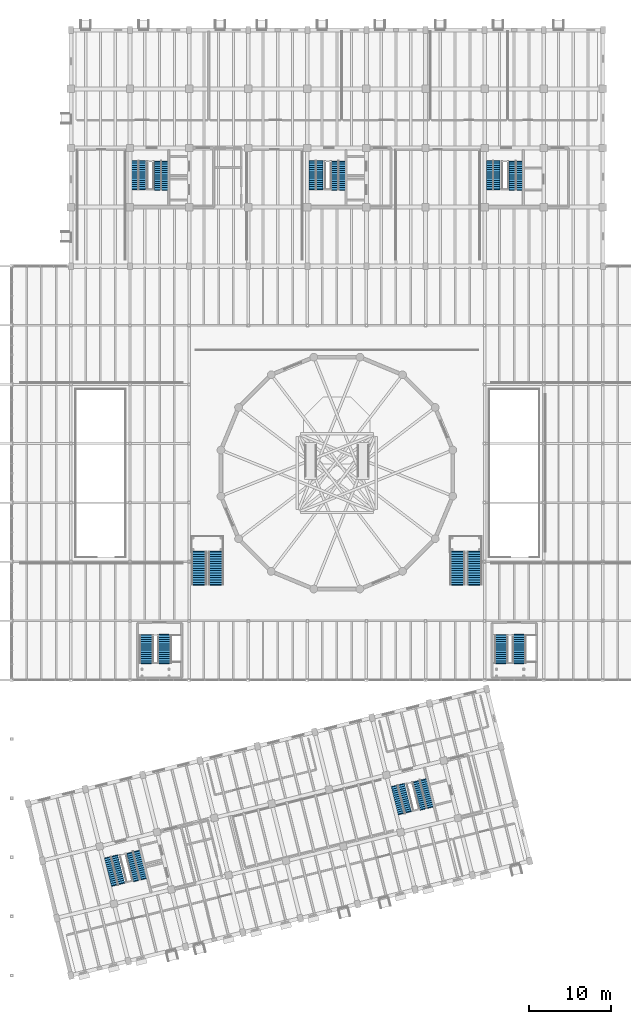
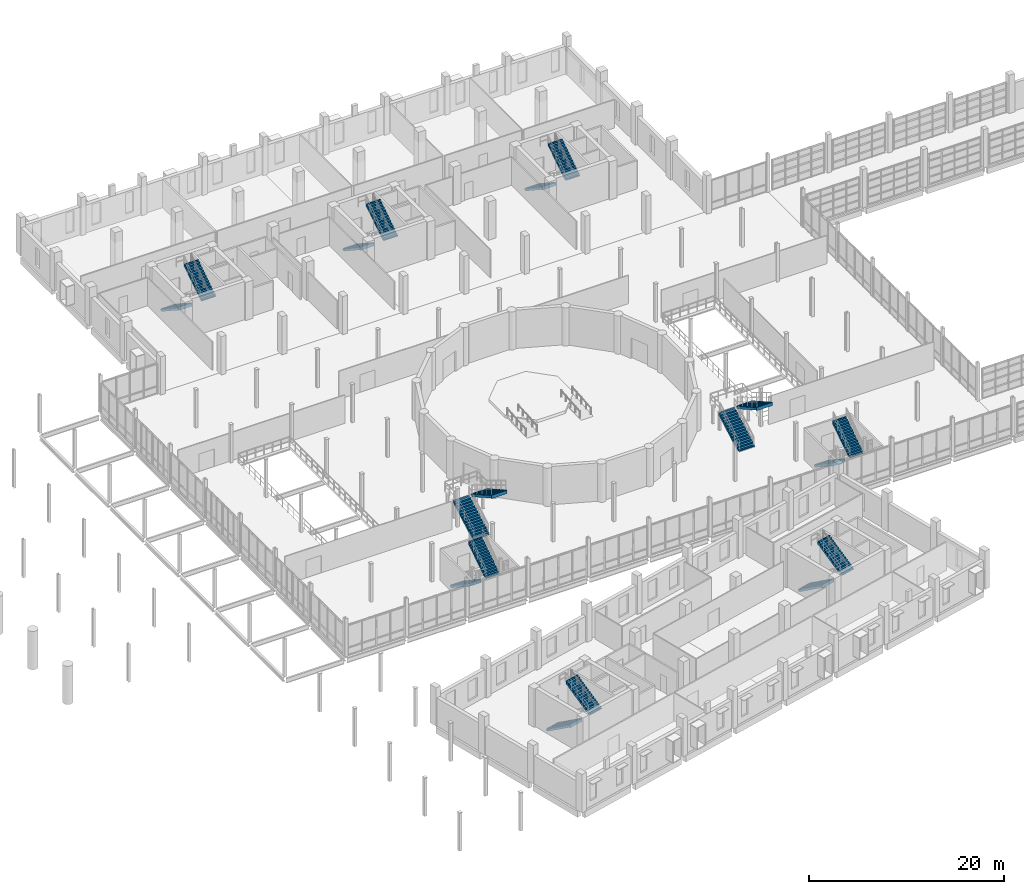
# One storey, part 72 of 77: 18 stair flights, 9 elements without a shape of their own.
"""IFC4 building model written with IfcOpenShell, lengths in metres."""

from ifc_helpers import new_model, si_unit, direction, frame, origin, place, context, subcontext, project, spatial, polyline, outline, extrude, material, type_object, element, aggregate, save


model = new_model("IFC4")

# Units and contexts
model_context = context("Model", 3, precision=1e-05, world=origin(), true_north=direction((0.0, 1.0)))
body_context = subcontext(model_context, "Body", "Model", "MODEL_VIEW")
ifc_project = project(units=[si_unit("LENGTHUNIT", "METRE"), si_unit("AREAUNIT", "SQUARE_METRE"), si_unit("VOLUMEUNIT", "CUBIC_METRE"), si_unit("PLANEANGLEUNIT", "RADIAN"), si_unit("MASSUNIT", "GRAM", prefix="KILO")], contexts=[model_context])

# Site, building, storey
site_placement = place(None, origin())
site = spatial("IfcSite", under=ifc_project, at=site_placement, CompositionType="ELEMENT")
building_placement = place(site_placement, origin())
building = spatial("IfcBuilding", under=site, at=building_placement, Name="Qiaolan Assembly House", CompositionType="ELEMENT")
storey_placement = place(building_placement, frame((0.0, 0.0, 5.39990234375)))
storey = spatial("IfcBuildingStorey", under=building, at=storey_placement, Name="L01", CompositionType="ELEMENT", Elevation=5.39990234375)

# Stair, stair flights
ifc_material = material(Name="Concrete C40/50", Category="concrete")
stair_type_1 = type_object("IfcStairType", Name="STR-BSMT-480", PredefinedType="HALF_TURN_STAIR", material=ifc_material)
stair_1_placement = place(storey_placement, origin())
stair_1 = element("IfcStair", 1, at=stair_1_placement, inside=storey, type_object=stair_type_1, Name="ST-04 enclosed egress stair CORE-A L01", PredefinedType="HALF_TURN_STAIR")
stair_flight_type_1 = type_object("IfcStairFlightType", Name="STR-BSMT-480-FLT", PredefinedType="STRAIGHT", material=ifc_material)
stair_flight_1_placement = place(storey_placement, frame((44.25, 99.2099609375, 0.0), z_axis=(0.0, 0.0, 1.0), x_axis=(0.0, -1.0, 0.0)))
stair_flight_1 = element("IfcStairFlight", 2, at=stair_flight_1_placement, type_object=stair_flight_type_1, Name="ST-04F stair flight FLT-CORE-A-L01-1", NumberOfRisers=14, NumberOfTreads=13, PredefinedType="STRAIGHT", RiserHeight=0.171429, TreadLength=0.26, context=body_context, shape_type="SweptSolid", body=[
    extrude(outline(polyline([(-0.10009765625, -0.1201171875), (-0.10009765625, 0.0), (0.0, 0.0), (0.0, 0.17138671875), (0.260009765625, 0.17138671875), (0.260009765625, 0.3427734375), (0.52001953125, 0.3427734375), (0.52001953125, 0.514404296875), (0.780029296875, 0.514404296875), (0.780029296875, 0.685791015625), (1.0400390625, 0.685791015625), (1.0400390625, 0.857177734375), (1.300048828125, 0.857177734375), (1.300048828125, 1.028564453125), (1.56005859375, 1.028564453125), (1.56005859375, 1.199951171875), (1.820068359375, 1.199951171875), (1.820068359375, 1.371337890625), (2.080078125, 1.371337890625), (2.080078125, 1.54296875), (2.340087890625, 1.54296875), (2.340087890625, 1.71435546875), (2.60009765625, 1.71435546875), (2.60009765625, 1.8857421875), (2.860107421875, 1.8857421875), (2.860107421875, 2.05712890625), (3.1201171875, 2.05712890625), (3.1201171875, 2.228515625), (3.3798828125, 2.228515625), (3.3798828125, 2.39990234375), (3.5, 2.39990234375), (3.5, 1.989013671875), (3.3798828125, 1.989013671875), (0.18115234375, -0.1201171875), (-0.10009765625, -0.1201171875)])), frame((0.0, 0.83984375, 0.0), z_axis=(0.0, -1.0, 0.0), x_axis=(1.0, 0.0, 0.0)), (0.0, 0.0, 1.0), 1.679931640625),
])
stair_flight_2_placement = place(storey_placement, frame((47.0, 95.7099609375, 2.400146484375), z_axis=(0.0, 0.0, 1.0), x_axis=(0.0, 1.0, 0.0)))
stair_flight_2 = element("IfcStairFlight", 3, at=stair_flight_2_placement, type_object=stair_flight_type_1, Name="ST-04F stair flight FLT-CORE-A-L01-2", NumberOfRisers=14, NumberOfTreads=13, PredefinedType="STRAIGHT", RiserHeight=0.171429, TreadLength=0.26, context=body_context, shape_type="SweptSolid", body=[
    extrude(outline(polyline([(-0.10009765625, -0.1201171875), (-0.10009765625, 0.0), (0.0, 0.0), (0.0, 0.17138671875), (0.260009765625, 0.17138671875), (0.260009765625, 0.3427734375), (0.52001953125, 0.3427734375), (0.52001953125, 0.514404296875), (0.780029296875, 0.514404296875), (0.780029296875, 0.685791015625), (1.0400390625, 0.685791015625), (1.0400390625, 0.857177734375), (1.300048828125, 0.857177734375), (1.300048828125, 1.028564453125), (1.56005859375, 1.028564453125), (1.56005859375, 1.199951171875), (1.820068359375, 1.199951171875), (1.820068359375, 1.371337890625), (2.080078125, 1.371337890625), (2.080078125, 1.54296875), (2.340087890625, 1.54296875), (2.340087890625, 1.71435546875), (2.60009765625, 1.71435546875), (2.60009765625, 1.8857421875), (2.860107421875, 1.8857421875), (2.860107421875, 2.05712890625), (3.1201171875, 2.05712890625), (3.1201171875, 2.228515625), (3.3798828125, 2.228515625), (3.3798828125, 2.39990234375), (3.5, 2.39990234375), (3.5, 1.989013671875), (3.3798828125, 1.989013671875), (0.18115234375, -0.1201171875), (-0.10009765625, -0.1201171875)])), frame((0.0, 0.83984375, 0.0), z_axis=(0.0, -1.0, 0.0), x_axis=(1.0, 0.0, 0.0)), (0.0, 0.0, 1.0), 1.679931640625),
])
aggregate(stair_1, [stair_flight_1, stair_flight_2])

stair_2_placement = place(storey_placement, origin())
stair_2 = element("IfcStair", 4, at=stair_2_placement, inside=storey, type_object=stair_type_1, Name="ST-04 enclosed egress stair CORE-B L01", PredefinedType="HALF_TURN_STAIR")
stair_flight_3_placement = place(storey_placement, frame((65.85009765625, 99.2099609375, 0.0), z_axis=(0.0, 0.0, 1.0), x_axis=(0.0, -1.0, 0.0)))
stair_flight_3 = element("IfcStairFlight", 5, at=stair_flight_3_placement, type_object=stair_flight_type_1, Name="ST-04F stair flight FLT-CORE-B-L01-1", NumberOfRisers=14, NumberOfTreads=13, PredefinedType="STRAIGHT", RiserHeight=0.171429, TreadLength=0.26, context=body_context, shape_type="SweptSolid", body=[
    extrude(outline(polyline([(-0.10009765625, -0.1201171875), (-0.10009765625, 0.0), (0.0, 0.0), (0.0, 0.17138671875), (0.260009765625, 0.17138671875), (0.260009765625, 0.3427734375), (0.52001953125, 0.3427734375), (0.52001953125, 0.514404296875), (0.780029296875, 0.514404296875), (0.780029296875, 0.685791015625), (1.0400390625, 0.685791015625), (1.0400390625, 0.857177734375), (1.300048828125, 0.857177734375), (1.300048828125, 1.028564453125), (1.56005859375, 1.028564453125), (1.56005859375, 1.199951171875), (1.820068359375, 1.199951171875), (1.820068359375, 1.371337890625), (2.080078125, 1.371337890625), (2.080078125, 1.54296875), (2.340087890625, 1.54296875), (2.340087890625, 1.71435546875), (2.60009765625, 1.71435546875), (2.60009765625, 1.8857421875), (2.860107421875, 1.8857421875), (2.860107421875, 2.05712890625), (3.1201171875, 2.05712890625), (3.1201171875, 2.228515625), (3.3798828125, 2.228515625), (3.3798828125, 2.39990234375), (3.5, 2.39990234375), (3.5, 1.989013671875), (3.3798828125, 1.989013671875), (0.18115234375, -0.1201171875), (-0.10009765625, -0.1201171875)])), frame((0.0, 0.83984375, 0.0), z_axis=(0.0, -1.0, 0.0), x_axis=(1.0, 0.0, 0.0)), (0.0, 0.0, 1.0), 1.679931640625),
])
stair_flight_4_placement = place(storey_placement, frame((68.60009765625, 95.7099609375, 2.400146484375), z_axis=(0.0, 0.0, 1.0), x_axis=(0.0, 1.0, 0.0)))
stair_flight_4 = element("IfcStairFlight", 6, at=stair_flight_4_placement, type_object=stair_flight_type_1, Name="ST-04F stair flight FLT-CORE-B-L01-2", NumberOfRisers=14, NumberOfTreads=13, PredefinedType="STRAIGHT", RiserHeight=0.171429, TreadLength=0.26, context=body_context, shape_type="SweptSolid", body=[
    extrude(outline(polyline([(-0.10009765625, -0.1201171875), (-0.10009765625, 0.0), (0.0, 0.0), (0.0, 0.17138671875), (0.260009765625, 0.17138671875), (0.260009765625, 0.3427734375), (0.52001953125, 0.3427734375), (0.52001953125, 0.514404296875), (0.780029296875, 0.514404296875), (0.780029296875, 0.685791015625), (1.0400390625, 0.685791015625), (1.0400390625, 0.857177734375), (1.300048828125, 0.857177734375), (1.300048828125, 1.028564453125), (1.56005859375, 1.028564453125), (1.56005859375, 1.199951171875), (1.820068359375, 1.199951171875), (1.820068359375, 1.371337890625), (2.080078125, 1.371337890625), (2.080078125, 1.54296875), (2.340087890625, 1.54296875), (2.340087890625, 1.71435546875), (2.60009765625, 1.71435546875), (2.60009765625, 1.8857421875), (2.860107421875, 1.8857421875), (2.860107421875, 2.05712890625), (3.1201171875, 2.05712890625), (3.1201171875, 2.228515625), (3.3798828125, 2.228515625), (3.3798828125, 2.39990234375), (3.5, 2.39990234375), (3.5, 1.989013671875), (3.3798828125, 1.989013671875), (0.18115234375, -0.1201171875), (-0.10009765625, -0.1201171875)])), frame((0.0, 0.83984375, 0.0), z_axis=(0.0, -1.0, 0.0), x_axis=(1.0, 0.0, 0.0)), (0.0, 0.0, 1.0), 1.679931640625),
])
aggregate(stair_2, [stair_flight_3, stair_flight_4])

stair_3_placement = place(storey_placement, origin())
stair_3 = element("IfcStair", 7, at=stair_3_placement, inside=storey, type_object=stair_type_1, Name="ST-04 enclosed egress stair CORE-G L01", PredefinedType="HALF_TURN_STAIR")
stair_flight_5_placement = place(storey_placement, frame((87.449951171875, 99.2099609375, 0.0), z_axis=(0.0, 0.0, 1.0), x_axis=(0.0, -1.0, 0.0)))
stair_flight_5 = element("IfcStairFlight", 8, at=stair_flight_5_placement, type_object=stair_flight_type_1, Name="ST-04F stair flight FLT-CORE-G-L01-1", NumberOfRisers=14, NumberOfTreads=13, PredefinedType="STRAIGHT", RiserHeight=0.171429, TreadLength=0.26, context=body_context, shape_type="SweptSolid", body=[
    extrude(outline(polyline([(-0.10009765625, -0.1201171875), (-0.10009765625, 0.0), (0.0, 0.0), (0.0, 0.17138671875), (0.260009765625, 0.17138671875), (0.260009765625, 0.3427734375), (0.52001953125, 0.3427734375), (0.52001953125, 0.514404296875), (0.780029296875, 0.514404296875), (0.780029296875, 0.685791015625), (1.0400390625, 0.685791015625), (1.0400390625, 0.857177734375), (1.300048828125, 0.857177734375), (1.300048828125, 1.028564453125), (1.56005859375, 1.028564453125), (1.56005859375, 1.199951171875), (1.820068359375, 1.199951171875), (1.820068359375, 1.371337890625), (2.080078125, 1.371337890625), (2.080078125, 1.54296875), (2.340087890625, 1.54296875), (2.340087890625, 1.71435546875), (2.60009765625, 1.71435546875), (2.60009765625, 1.8857421875), (2.860107421875, 1.8857421875), (2.860107421875, 2.05712890625), (3.1201171875, 2.05712890625), (3.1201171875, 2.228515625), (3.3798828125, 2.228515625), (3.3798828125, 2.39990234375), (3.5, 2.39990234375), (3.5, 1.989013671875), (3.3798828125, 1.989013671875), (0.18115234375, -0.1201171875), (-0.10009765625, -0.1201171875)])), frame((0.0, 0.83984375, 0.0), z_axis=(0.0, -1.0, 0.0), x_axis=(1.0, 0.0, 0.0)), (0.0, 0.0, 1.0), 1.679931640625),
])
stair_flight_6_placement = place(storey_placement, frame((90.199951171875, 95.7099609375, 2.400146484375), z_axis=(0.0, 0.0, 1.0), x_axis=(0.0, 1.0, 0.0)))
stair_flight_6 = element("IfcStairFlight", 9, at=stair_flight_6_placement, type_object=stair_flight_type_1, Name="ST-04F stair flight FLT-CORE-G-L01-2", NumberOfRisers=14, NumberOfTreads=13, PredefinedType="STRAIGHT", RiserHeight=0.171429, TreadLength=0.26, context=body_context, shape_type="SweptSolid", body=[
    extrude(outline(polyline([(-0.10009765625, -0.1201171875), (-0.10009765625, 0.0), (0.0, 0.0), (0.0, 0.17138671875), (0.260009765625, 0.17138671875), (0.260009765625, 0.3427734375), (0.52001953125, 0.3427734375), (0.52001953125, 0.514404296875), (0.780029296875, 0.514404296875), (0.780029296875, 0.685791015625), (1.0400390625, 0.685791015625), (1.0400390625, 0.857177734375), (1.300048828125, 0.857177734375), (1.300048828125, 1.028564453125), (1.56005859375, 1.028564453125), (1.56005859375, 1.199951171875), (1.820068359375, 1.199951171875), (1.820068359375, 1.371337890625), (2.080078125, 1.371337890625), (2.080078125, 1.54296875), (2.340087890625, 1.54296875), (2.340087890625, 1.71435546875), (2.60009765625, 1.71435546875), (2.60009765625, 1.8857421875), (2.860107421875, 1.8857421875), (2.860107421875, 2.05712890625), (3.1201171875, 2.05712890625), (3.1201171875, 2.228515625), (3.3798828125, 2.228515625), (3.3798828125, 2.39990234375), (3.5, 2.39990234375), (3.5, 1.989013671875), (3.3798828125, 1.989013671875), (0.18115234375, -0.1201171875), (-0.10009765625, -0.1201171875)])), frame((0.0, 0.83984375, 0.0), z_axis=(0.0, -1.0, 0.0), x_axis=(1.0, 0.0, 0.0)), (0.0, 0.0, 1.0), 1.679931640625),
])
aggregate(stair_3, [stair_flight_5, stair_flight_6])

stair_4_placement = place(storey_placement, origin())
stair_4 = element("IfcStair", 10, at=stair_4_placement, inside=storey, type_object=stair_type_1, Name="ST-04 enclosed egress stair CORE-C L01", PredefinedType="HALF_TURN_STAIR")
stair_flight_7_placement = place(storey_placement, frame((40.906005859375, 14.42529296875, 0.0), z_axis=(0.0, 0.0, 1.0), x_axis=(0.241921997209, -0.970295700942, 0.0)))
stair_flight_7 = element("IfcStairFlight", 11, at=stair_flight_7_placement, type_object=stair_flight_type_1, Name="ST-04F stair flight FLT-CORE-C-L01-1", NumberOfRisers=14, NumberOfTreads=13, PredefinedType="STRAIGHT", RiserHeight=0.171429, TreadLength=0.26, context=body_context, shape_type="SweptSolid", body=[
    extrude(outline(polyline([(-0.10009765625, -0.1201171875), (-0.10009765625, 0.0), (0.0, 0.0), (0.0, 0.17138671875), (0.260009765625, 0.17138671875), (0.260009765625, 0.3427734375), (0.52001953125, 0.3427734375), (0.52001953125, 0.514404296875), (0.780029296875, 0.514404296875), (0.780029296875, 0.685791015625), (1.0400390625, 0.685791015625), (1.0400390625, 0.857177734375), (1.300048828125, 0.857177734375), (1.300048828125, 1.028564453125), (1.56005859375, 1.028564453125), (1.56005859375, 1.199951171875), (1.820068359375, 1.199951171875), (1.820068359375, 1.371337890625), (2.080078125, 1.371337890625), (2.080078125, 1.54296875), (2.340087890625, 1.54296875), (2.340087890625, 1.71435546875), (2.60009765625, 1.71435546875), (2.60009765625, 1.8857421875), (2.860107421875, 1.8857421875), (2.860107421875, 2.05712890625), (3.1201171875, 2.05712890625), (3.1201171875, 2.228515625), (3.3798828125, 2.228515625), (3.3798828125, 2.39990234375), (3.5, 2.39990234375), (3.5, 1.989013671875), (3.3798828125, 1.989013671875), (0.18115234375, -0.1201171875), (-0.10009765625, -0.1201171875)])), frame((0.0, 0.83984375, 0.0), z_axis=(0.0, -1.0, 0.0), x_axis=(1.0, 0.0, 0.0)), (0.0, 0.0, 1.0), 1.679931640625),
])
stair_flight_8_placement = place(storey_placement, frame((44.4208984375, 11.694580078125, 2.400146484375), z_axis=(0.0, 0.0, 1.0), x_axis=(-0.241921726251, 0.970295768499, 0.0)))
stair_flight_8 = element("IfcStairFlight", 12, at=stair_flight_8_placement, type_object=stair_flight_type_1, Name="ST-04F stair flight FLT-CORE-C-L01-2", NumberOfRisers=14, NumberOfTreads=13, PredefinedType="STRAIGHT", RiserHeight=0.171429, TreadLength=0.26, context=body_context, shape_type="SweptSolid", body=[
    extrude(outline(polyline([(-0.10009765625, -0.1201171875), (-0.10009765625, 0.0), (0.0, 0.0), (0.0, 0.17138671875), (0.260009765625, 0.17138671875), (0.260009765625, 0.3427734375), (0.52001953125, 0.3427734375), (0.52001953125, 0.514404296875), (0.780029296875, 0.514404296875), (0.780029296875, 0.685791015625), (1.0400390625, 0.685791015625), (1.0400390625, 0.857177734375), (1.300048828125, 0.857177734375), (1.300048828125, 1.028564453125), (1.56005859375, 1.028564453125), (1.56005859375, 1.199951171875), (1.820068359375, 1.199951171875), (1.820068359375, 1.371337890625), (2.080078125, 1.371337890625), (2.080078125, 1.54296875), (2.340087890625, 1.54296875), (2.340087890625, 1.71435546875), (2.60009765625, 1.71435546875), (2.60009765625, 1.8857421875), (2.860107421875, 1.8857421875), (2.860107421875, 2.05712890625), (3.1201171875, 2.05712890625), (3.1201171875, 2.228515625), (3.3798828125, 2.228515625), (3.3798828125, 2.39990234375), (3.5, 2.39990234375), (3.5, 1.989013671875), (3.3798828125, 1.989013671875), (0.18115234375, -0.1201171875), (-0.10009765625, -0.1201171875)])), frame((0.0, 0.83984375, 0.0), z_axis=(0.0, -1.0, 0.0), x_axis=(1.0, 0.0, 0.0)), (0.0, 0.0, 1.0), 1.679931640625),
])
aggregate(stair_4, [stair_flight_7, stair_flight_8])

stair_5_placement = place(storey_placement, origin())
stair_5 = element("IfcStair", 13, at=stair_5_placement, inside=storey, type_object=stair_type_1, Name="ST-04 enclosed egress stair CORE-D L01", PredefinedType="HALF_TURN_STAIR")
stair_flight_9_placement = place(storey_placement, frame((75.836669921875, 23.134521484375, 0.0), z_axis=(0.0, 0.0, 1.0), x_axis=(0.241921997209, -0.970295700942, 0.0)))
stair_flight_9 = element("IfcStairFlight", 14, at=stair_flight_9_placement, type_object=stair_flight_type_1, Name="ST-04F stair flight FLT-CORE-D-L01-1", NumberOfRisers=14, NumberOfTreads=13, PredefinedType="STRAIGHT", RiserHeight=0.171429, TreadLength=0.26, context=body_context, shape_type="SweptSolid", body=[
    extrude(outline(polyline([(-0.10009765625, -0.1201171875), (-0.10009765625, 0.0), (0.0, 0.0), (0.0, 0.17138671875), (0.260009765625, 0.17138671875), (0.260009765625, 0.3427734375), (0.52001953125, 0.3427734375), (0.52001953125, 0.514404296875), (0.780029296875, 0.514404296875), (0.780029296875, 0.685791015625), (1.0400390625, 0.685791015625), (1.0400390625, 0.857177734375), (1.300048828125, 0.857177734375), (1.300048828125, 1.028564453125), (1.56005859375, 1.028564453125), (1.56005859375, 1.199951171875), (1.820068359375, 1.199951171875), (1.820068359375, 1.371337890625), (2.080078125, 1.371337890625), (2.080078125, 1.54296875), (2.340087890625, 1.54296875), (2.340087890625, 1.71435546875), (2.60009765625, 1.71435546875), (2.60009765625, 1.8857421875), (2.860107421875, 1.8857421875), (2.860107421875, 2.05712890625), (3.1201171875, 2.05712890625), (3.1201171875, 2.228515625), (3.3798828125, 2.228515625), (3.3798828125, 2.39990234375), (3.5, 2.39990234375), (3.5, 1.989013671875), (3.3798828125, 1.989013671875), (0.18115234375, -0.1201171875), (-0.10009765625, -0.1201171875)])), frame((0.0, 0.83984375, 0.0), z_axis=(0.0, -1.0, 0.0), x_axis=(1.0, 0.0, 0.0)), (0.0, 0.0, 1.0), 1.679931640625),
])
stair_flight_10_placement = place(storey_placement, frame((79.3515625, 20.40380859375, 2.400146484375), z_axis=(0.0, 0.0, 1.0), x_axis=(-0.241921726251, 0.970295768499, 0.0)))
stair_flight_10 = element("IfcStairFlight", 15, at=stair_flight_10_placement, type_object=stair_flight_type_1, Name="ST-04F stair flight FLT-CORE-D-L01-2", NumberOfRisers=14, NumberOfTreads=13, PredefinedType="STRAIGHT", RiserHeight=0.171429, TreadLength=0.26, context=body_context, shape_type="SweptSolid", body=[
    extrude(outline(polyline([(-0.10009765625, -0.1201171875), (-0.10009765625, 0.0), (0.0, 0.0), (0.0, 0.17138671875), (0.260009765625, 0.17138671875), (0.260009765625, 0.3427734375), (0.52001953125, 0.3427734375), (0.52001953125, 0.514404296875), (0.780029296875, 0.514404296875), (0.780029296875, 0.685791015625), (1.0400390625, 0.685791015625), (1.0400390625, 0.857177734375), (1.300048828125, 0.857177734375), (1.300048828125, 1.028564453125), (1.56005859375, 1.028564453125), (1.56005859375, 1.199951171875), (1.820068359375, 1.199951171875), (1.820068359375, 1.371337890625), (2.080078125, 1.371337890625), (2.080078125, 1.54296875), (2.340087890625, 1.54296875), (2.340087890625, 1.71435546875), (2.60009765625, 1.71435546875), (2.60009765625, 1.8857421875), (2.860107421875, 1.8857421875), (2.860107421875, 2.05712890625), (3.1201171875, 2.05712890625), (3.1201171875, 2.228515625), (3.3798828125, 2.228515625), (3.3798828125, 2.39990234375), (3.5, 2.39990234375), (3.5, 1.989013671875), (3.3798828125, 1.989013671875), (0.18115234375, -0.1201171875), (-0.10009765625, -0.1201171875)])), frame((0.0, 0.83984375, 0.0), z_axis=(0.0, -1.0, 0.0), x_axis=(1.0, 0.0, 0.0)), (0.0, 0.0, 1.0), 1.679931640625),
])
aggregate(stair_5, [stair_flight_9, stair_flight_10])

stair_type_2 = type_object("IfcStairType", Name="STR-FOYER-480", PredefinedType="HALF_TURN_STAIR", material=ifc_material)
stair_6_placement = place(storey_placement, origin())
stair_6 = element("IfcStair", 16, at=stair_6_placement, inside=storey, type_object=stair_type_2, Name="ST-10 Chamber Foyer Stair ST-F1", PredefinedType="HALF_TURN_STAIR")
stair_flight_type_2 = type_object("IfcStairFlightType", Name="STR-FOYER-480-FLT", PredefinedType="STRAIGHT", material=ifc_material)
stair_flight_11_placement = place(storey_placement, frame((45.199951171875, 41.449951171875, 0.0), z_axis=(0.0, 0.0, 1.0), x_axis=(0.0, -1.0, 0.0)))
stair_flight_11 = element("IfcStairFlight", 17, at=stair_flight_11_placement, type_object=stair_flight_type_2, Name="ST-10F stair flight FLT-ST-F1-1", NumberOfRisers=14, NumberOfTreads=13, PredefinedType="STRAIGHT", RiserHeight=0.171429, TreadLength=0.26, context=body_context, shape_type="SweptSolid", body=[
    extrude(outline(polyline([(-0.10009765625, -0.1201171875), (-0.10009765625, 0.0), (0.0, 0.0), (0.0, 0.17138671875), (0.260009765625, 0.17138671875), (0.260009765625, 0.3427734375), (0.52001953125, 0.3427734375), (0.52001953125, 0.514404296875), (0.780029296875, 0.514404296875), (0.780029296875, 0.685791015625), (1.0400390625, 0.685791015625), (1.0400390625, 0.857177734375), (1.300048828125, 0.857177734375), (1.300048828125, 1.028564453125), (1.56005859375, 1.028564453125), (1.56005859375, 1.199951171875), (1.820068359375, 1.199951171875), (1.820068359375, 1.371337890625), (2.080078125, 1.371337890625), (2.080078125, 1.54296875), (2.340087890625, 1.54296875), (2.340087890625, 1.71435546875), (2.60009765625, 1.71435546875), (2.60009765625, 1.8857421875), (2.860107421875, 1.8857421875), (2.860107421875, 2.05712890625), (3.1201171875, 2.05712890625), (3.1201171875, 2.228515625), (3.3798828125, 2.228515625), (3.3798828125, 2.39990234375), (3.5, 2.39990234375), (3.5, 1.989013671875), (3.3798828125, 1.989013671875), (0.18115234375, -0.1201171875), (-0.10009765625, -0.1201171875)])), frame((0.0, 0.81005859375, 0.0), z_axis=(0.0, -1.0, 0.0), x_axis=(1.0, 0.0, 0.0)), (0.0, 0.0, 1.0), 1.6201171875),
])
stair_flight_12_placement = place(storey_placement, frame((47.39990234375, 38.070068359375, 2.400146484375), z_axis=(0.0, 0.0, 1.0), x_axis=(0.0, 1.0, 0.0)))
stair_flight_12 = element("IfcStairFlight", 18, at=stair_flight_12_placement, type_object=stair_flight_type_2, Name="ST-10F stair flight FLT-ST-F1-2", NumberOfRisers=14, NumberOfTreads=13, PredefinedType="STRAIGHT", RiserHeight=0.171429, TreadLength=0.26, context=body_context, shape_type="SweptSolid", body=[
    extrude(outline(polyline([(-0.10009765625, -0.1201171875), (-0.10009765625, 0.0), (0.0, 0.0), (0.0, 0.17138671875), (0.260009765625, 0.17138671875), (0.260009765625, 0.3427734375), (0.52001953125, 0.3427734375), (0.52001953125, 0.514404296875), (0.780029296875, 0.514404296875), (0.780029296875, 0.685791015625), (1.0400390625, 0.685791015625), (1.0400390625, 0.857177734375), (1.300048828125, 0.857177734375), (1.300048828125, 1.028564453125), (1.56005859375, 1.028564453125), (1.56005859375, 1.199951171875), (1.820068359375, 1.199951171875), (1.820068359375, 1.371337890625), (2.080078125, 1.371337890625), (2.080078125, 1.54296875), (2.340087890625, 1.54296875), (2.340087890625, 1.71435546875), (2.60009765625, 1.71435546875), (2.60009765625, 1.8857421875), (2.860107421875, 1.8857421875), (2.860107421875, 2.05712890625), (3.1201171875, 2.05712890625), (3.1201171875, 2.228515625), (3.3798828125, 2.228515625), (3.3798828125, 2.39990234375), (3.5, 2.39990234375), (3.5, 1.989013671875), (3.3798828125, 1.989013671875), (0.18115234375, -0.1201171875), (-0.10009765625, -0.1201171875)])), frame((0.0, 0.81005859375, 0.0), z_axis=(0.0, -1.0, 0.0), x_axis=(1.0, 0.0, 0.0)), (0.0, 0.0, 1.0), 1.6201171875),
])
aggregate(stair_6, [stair_flight_11, stair_flight_12])

stair_7_placement = place(storey_placement, origin())
stair_7 = element("IfcStair", 19, at=stair_7_placement, inside=storey, type_object=stair_type_2, Name="ST-10 Chamber Foyer Stair ST-F2", PredefinedType="HALF_TURN_STAIR")
stair_flight_13_placement = place(storey_placement, frame((88.39990234375, 41.449951171875, 0.0), z_axis=(0.0, 0.0, 1.0), x_axis=(0.0, -1.0, 0.0)))
stair_flight_13 = element("IfcStairFlight", 20, at=stair_flight_13_placement, type_object=stair_flight_type_2, Name="ST-10F stair flight FLT-ST-F2-1", NumberOfRisers=14, NumberOfTreads=13, PredefinedType="STRAIGHT", RiserHeight=0.171429, TreadLength=0.26, context=body_context, shape_type="SweptSolid", body=[
    extrude(outline(polyline([(-0.10009765625, -0.1201171875), (-0.10009765625, 0.0), (0.0, 0.0), (0.0, 0.17138671875), (0.260009765625, 0.17138671875), (0.260009765625, 0.3427734375), (0.52001953125, 0.3427734375), (0.52001953125, 0.514404296875), (0.780029296875, 0.514404296875), (0.780029296875, 0.685791015625), (1.0400390625, 0.685791015625), (1.0400390625, 0.857177734375), (1.300048828125, 0.857177734375), (1.300048828125, 1.028564453125), (1.56005859375, 1.028564453125), (1.56005859375, 1.199951171875), (1.820068359375, 1.199951171875), (1.820068359375, 1.371337890625), (2.080078125, 1.371337890625), (2.080078125, 1.54296875), (2.340087890625, 1.54296875), (2.340087890625, 1.71435546875), (2.60009765625, 1.71435546875), (2.60009765625, 1.8857421875), (2.860107421875, 1.8857421875), (2.860107421875, 2.05712890625), (3.1201171875, 2.05712890625), (3.1201171875, 2.228515625), (3.3798828125, 2.228515625), (3.3798828125, 2.39990234375), (3.5, 2.39990234375), (3.5, 1.989013671875), (3.3798828125, 1.989013671875), (0.18115234375, -0.1201171875), (-0.10009765625, -0.1201171875)])), frame((0.0, 0.81005859375, 0.0), z_axis=(0.0, -1.0, 0.0), x_axis=(1.0, 0.0, 0.0)), (0.0, 0.0, 1.0), 1.6201171875),
])
stair_flight_14_placement = place(storey_placement, frame((90.60009765625, 38.070068359375, 2.400146484375), z_axis=(0.0, 0.0, 1.0), x_axis=(0.0, 1.0, 0.0)))
stair_flight_14 = element("IfcStairFlight", 21, at=stair_flight_14_placement, type_object=stair_flight_type_2, Name="ST-10F stair flight FLT-ST-F2-2", NumberOfRisers=14, NumberOfTreads=13, PredefinedType="STRAIGHT", RiserHeight=0.171429, TreadLength=0.26, context=body_context, shape_type="SweptSolid", body=[
    extrude(outline(polyline([(-0.10009765625, -0.1201171875), (-0.10009765625, 0.0), (0.0, 0.0), (0.0, 0.17138671875), (0.260009765625, 0.17138671875), (0.260009765625, 0.3427734375), (0.52001953125, 0.3427734375), (0.52001953125, 0.514404296875), (0.780029296875, 0.514404296875), (0.780029296875, 0.685791015625), (1.0400390625, 0.685791015625), (1.0400390625, 0.857177734375), (1.300048828125, 0.857177734375), (1.300048828125, 1.028564453125), (1.56005859375, 1.028564453125), (1.56005859375, 1.199951171875), (1.820068359375, 1.199951171875), (1.820068359375, 1.371337890625), (2.080078125, 1.371337890625), (2.080078125, 1.54296875), (2.340087890625, 1.54296875), (2.340087890625, 1.71435546875), (2.60009765625, 1.71435546875), (2.60009765625, 1.8857421875), (2.860107421875, 1.8857421875), (2.860107421875, 2.05712890625), (3.1201171875, 2.05712890625), (3.1201171875, 2.228515625), (3.3798828125, 2.228515625), (3.3798828125, 2.39990234375), (3.5, 2.39990234375), (3.5, 1.989013671875), (3.3798828125, 1.989013671875), (0.18115234375, -0.1201171875), (-0.10009765625, -0.1201171875)])), frame((0.0, 0.81005859375, 0.0), z_axis=(0.0, -1.0, 0.0), x_axis=(1.0, 0.0, 0.0)), (0.0, 0.0, 1.0), 1.6201171875),
])
aggregate(stair_7, [stair_flight_13, stair_flight_14])

stair_type_3 = type_object("IfcStairType", Name="STR-GALLERY-480", PredefinedType="HALF_TURN_STAIR", material=ifc_material)
stair_8_placement = place(storey_placement, origin())
stair_8 = element("IfcStair", 22, at=stair_8_placement, inside=storey, type_object=stair_type_3, Name="ST-03 Chamber Public Gallery Stair ST-G1", PredefinedType="HALF_TURN_STAIR")
stair_flight_type_3 = type_object("IfcStairFlightType", Name="STR-GALLERY-480-FLT", PredefinedType="STRAIGHT", material=ifc_material)
stair_flight_15_placement = place(storey_placement, frame((51.60009765625, 47.60009765625, 0.0), z_axis=(0.0, 0.0, 1.0), x_axis=(0.0, 1.0, 0.0)))
stair_flight_15 = element("IfcStairFlight", 23, at=stair_flight_15_placement, type_object=stair_flight_type_3, Name="ST-03F stair flight FLT-ST-G1-1", NumberOfRisers=15, NumberOfTreads=14, PredefinedType="STRAIGHT", RiserHeight=0.16, TreadLength=0.285, context=body_context, shape_type="SweptSolid", body=[
    extrude(outline(polyline([(-0.10009765625, -0.1201171875), (-0.10009765625, 0.0), (0.0, 0.0), (0.0, 0.159912109375), (0.284912109375, 0.159912109375), (0.284912109375, 0.320068359375), (0.570068359375, 0.320068359375), (0.570068359375, 0.47998046875), (0.85498046875, 0.47998046875), (0.85498046875, 0.639892578125), (1.139892578125, 0.639892578125), (1.139892578125, 0.800048828125), (1.425048828125, 0.800048828125), (1.425048828125, 0.9599609375), (1.7099609375, 0.9599609375), (1.7099609375, 1.1201171875), (1.9951171875, 1.1201171875), (1.9951171875, 1.280029296875), (2.280029296875, 1.280029296875), (2.280029296875, 1.43994140625), (2.56494140625, 1.43994140625), (2.56494140625, 1.60009765625), (2.85009765625, 1.60009765625), (2.85009765625, 1.760009765625), (3.135009765625, 1.760009765625), (3.135009765625, 1.919921875), (3.419921875, 1.919921875), (3.419921875, 2.080078125), (3.705078125, 2.080078125), (3.705078125, 2.239990234375), (3.989990234375, 2.239990234375), (3.989990234375, 2.39990234375), (4.110107421875, 2.39990234375), (4.110107421875, 1.98779296875), (3.989990234375, 1.98779296875), (0.2353515625, -0.1201171875), (-0.10009765625, -0.1201171875)])), frame((0.0, 0.93994140625, 0.0), z_axis=(0.0, -1.0, 0.0), x_axis=(1.0, 0.0, 0.0)), (0.0, 0.0, 1.0), 1.8798828125),
])
stair_flight_16_placement = place(storey_placement, frame((53.679931640625, 51.590087890625, 2.400146484375), z_axis=(0.0, 0.0, 1.0), x_axis=(0.0, -1.0, 0.0)))
stair_flight_16 = element("IfcStairFlight", 24, at=stair_flight_16_placement, type_object=stair_flight_type_3, Name="ST-03F stair flight FLT-ST-G1-2", NumberOfRisers=15, NumberOfTreads=14, PredefinedType="STRAIGHT", RiserHeight=0.16, TreadLength=0.285, context=body_context, shape_type="SweptSolid", body=[
    extrude(outline(polyline([(-0.10009765625, -0.1201171875), (-0.10009765625, 0.0), (0.0, 0.0), (0.0, 0.159912109375), (0.284912109375, 0.159912109375), (0.284912109375, 0.320068359375), (0.570068359375, 0.320068359375), (0.570068359375, 0.47998046875), (0.85498046875, 0.47998046875), (0.85498046875, 0.639892578125), (1.139892578125, 0.639892578125), (1.139892578125, 0.800048828125), (1.425048828125, 0.800048828125), (1.425048828125, 0.9599609375), (1.7099609375, 0.9599609375), (1.7099609375, 1.1201171875), (1.9951171875, 1.1201171875), (1.9951171875, 1.280029296875), (2.280029296875, 1.280029296875), (2.280029296875, 1.43994140625), (2.56494140625, 1.43994140625), (2.56494140625, 1.60009765625), (2.85009765625, 1.60009765625), (2.85009765625, 1.760009765625), (3.135009765625, 1.760009765625), (3.135009765625, 1.919921875), (3.419921875, 1.919921875), (3.419921875, 2.080078125), (3.705078125, 2.080078125), (3.705078125, 2.239990234375), (3.989990234375, 2.239990234375), (3.989990234375, 2.39990234375), (4.110107421875, 2.39990234375), (4.110107421875, 1.98779296875), (3.989990234375, 1.98779296875), (0.2353515625, -0.1201171875), (-0.10009765625, -0.1201171875)])), frame((0.0, 0.93994140625, 0.0), z_axis=(0.0, -1.0, 0.0), x_axis=(1.0, 0.0, 0.0)), (0.0, 0.0, 1.0), 1.8798828125),
])
aggregate(stair_8, [stair_flight_15, stair_flight_16])

stair_9_placement = place(storey_placement, origin())
stair_9 = element("IfcStair", 25, at=stair_9_placement, inside=storey, type_object=stair_type_3, Name="ST-03 Chamber Public Gallery Stair ST-G2", PredefinedType="HALF_TURN_STAIR")
stair_flight_17_placement = place(storey_placement, frame((83.10009765625, 47.60009765625, 0.0), z_axis=(0.0, 0.0, 1.0), x_axis=(0.0, 1.0, 0.0)))
stair_flight_17 = element("IfcStairFlight", 26, at=stair_flight_17_placement, type_object=stair_flight_type_3, Name="ST-03F stair flight FLT-ST-G2-1", NumberOfRisers=15, NumberOfTreads=14, PredefinedType="STRAIGHT", RiserHeight=0.16, TreadLength=0.285, context=body_context, shape_type="SweptSolid", body=[
    extrude(outline(polyline([(-0.10009765625, -0.1201171875), (-0.10009765625, 0.0), (0.0, 0.0), (0.0, 0.159912109375), (0.284912109375, 0.159912109375), (0.284912109375, 0.320068359375), (0.570068359375, 0.320068359375), (0.570068359375, 0.47998046875), (0.85498046875, 0.47998046875), (0.85498046875, 0.639892578125), (1.139892578125, 0.639892578125), (1.139892578125, 0.800048828125), (1.425048828125, 0.800048828125), (1.425048828125, 0.9599609375), (1.7099609375, 0.9599609375), (1.7099609375, 1.1201171875), (1.9951171875, 1.1201171875), (1.9951171875, 1.280029296875), (2.280029296875, 1.280029296875), (2.280029296875, 1.43994140625), (2.56494140625, 1.43994140625), (2.56494140625, 1.60009765625), (2.85009765625, 1.60009765625), (2.85009765625, 1.760009765625), (3.135009765625, 1.760009765625), (3.135009765625, 1.919921875), (3.419921875, 1.919921875), (3.419921875, 2.080078125), (3.705078125, 2.080078125), (3.705078125, 2.239990234375), (3.989990234375, 2.239990234375), (3.989990234375, 2.39990234375), (4.110107421875, 2.39990234375), (4.110107421875, 1.98779296875), (3.989990234375, 1.98779296875), (0.2353515625, -0.1201171875), (-0.10009765625, -0.1201171875)])), frame((0.0, 0.93994140625, 0.0), z_axis=(0.0, -1.0, 0.0), x_axis=(1.0, 0.0, 0.0)), (0.0, 0.0, 1.0), 1.8798828125),
])
stair_flight_18_placement = place(storey_placement, frame((85.179931640625, 51.590087890625, 2.400146484375), z_axis=(0.0, 0.0, 1.0), x_axis=(0.0, -1.0, 0.0)))
stair_flight_18 = element("IfcStairFlight", 27, at=stair_flight_18_placement, type_object=stair_flight_type_3, Name="ST-03F stair flight FLT-ST-G2-2", NumberOfRisers=15, NumberOfTreads=14, PredefinedType="STRAIGHT", RiserHeight=0.16, TreadLength=0.285, context=body_context, shape_type="SweptSolid", body=[
    extrude(outline(polyline([(-0.10009765625, -0.1201171875), (-0.10009765625, 0.0), (0.0, 0.0), (0.0, 0.159912109375), (0.284912109375, 0.159912109375), (0.284912109375, 0.320068359375), (0.570068359375, 0.320068359375), (0.570068359375, 0.47998046875), (0.85498046875, 0.47998046875), (0.85498046875, 0.639892578125), (1.139892578125, 0.639892578125), (1.139892578125, 0.800048828125), (1.425048828125, 0.800048828125), (1.425048828125, 0.9599609375), (1.7099609375, 0.9599609375), (1.7099609375, 1.1201171875), (1.9951171875, 1.1201171875), (1.9951171875, 1.280029296875), (2.280029296875, 1.280029296875), (2.280029296875, 1.43994140625), (2.56494140625, 1.43994140625), (2.56494140625, 1.60009765625), (2.85009765625, 1.60009765625), (2.85009765625, 1.760009765625), (3.135009765625, 1.760009765625), (3.135009765625, 1.919921875), (3.419921875, 1.919921875), (3.419921875, 2.080078125), (3.705078125, 2.080078125), (3.705078125, 2.239990234375), (3.989990234375, 2.239990234375), (3.989990234375, 2.39990234375), (4.110107421875, 2.39990234375), (4.110107421875, 1.98779296875), (3.989990234375, 1.98779296875), (0.2353515625, -0.1201171875), (-0.10009765625, -0.1201171875)])), frame((0.0, 0.93994140625, 0.0), z_axis=(0.0, -1.0, 0.0), x_axis=(1.0, 0.0, 0.0)), (0.0, 0.0, 1.0), 1.8798828125),
])
aggregate(stair_9, [stair_flight_17, stair_flight_18])

save(model, "model.ifc")
